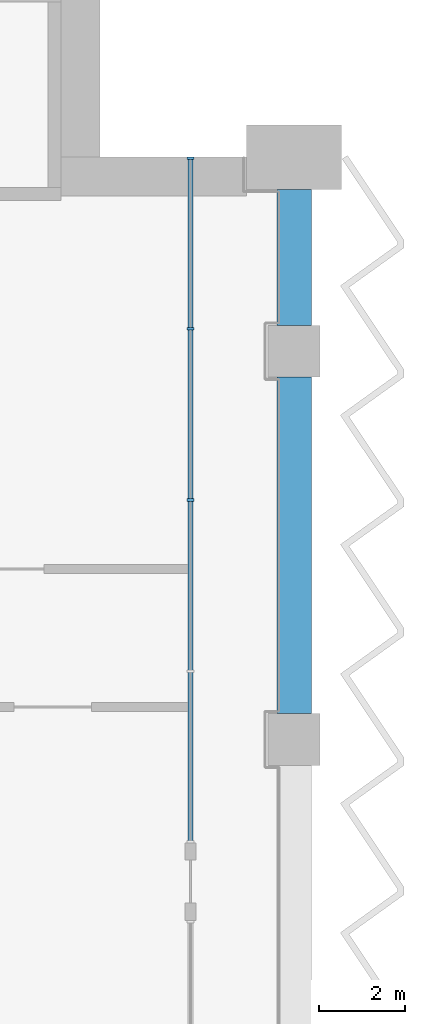
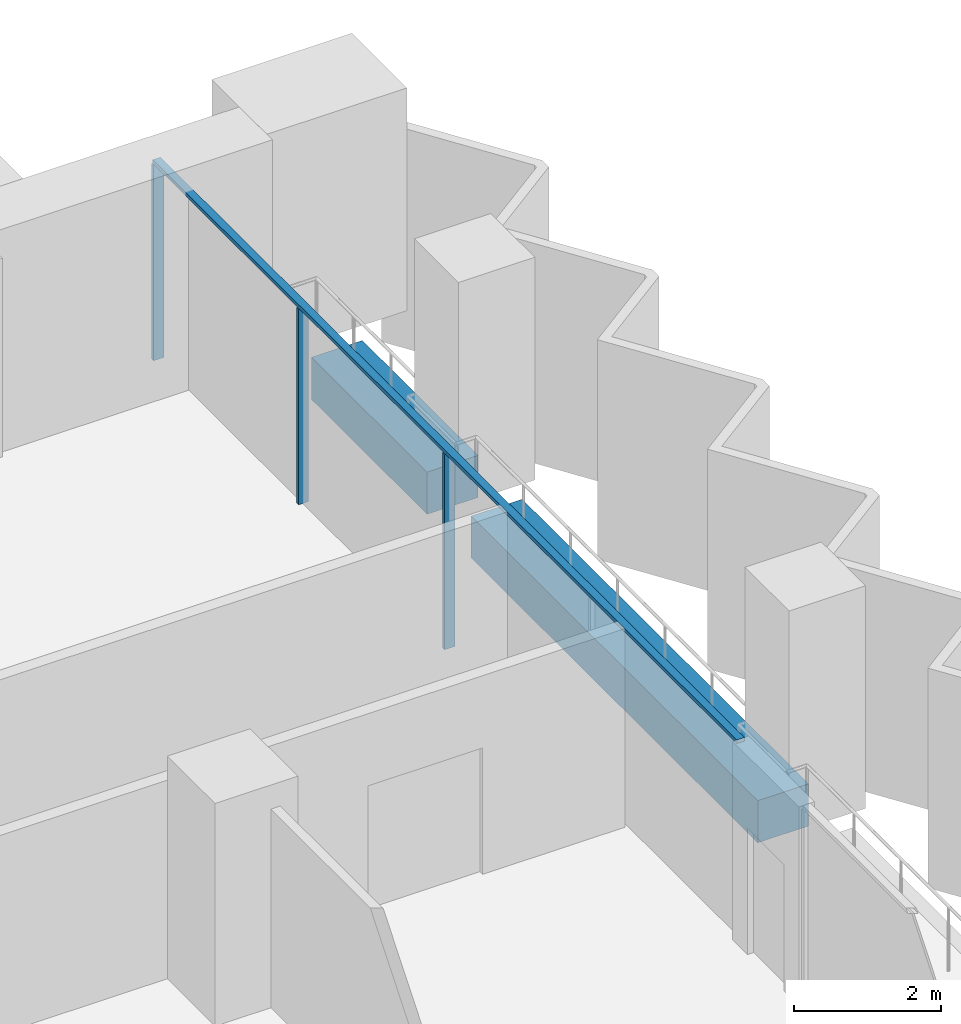
# One storey, part 6 of 22: 4 members, 2 beams, 1 element without a shape of its own.
"""IFC4 building model written with IfcOpenShell, lengths in metres."""

from ifc_helpers import new_model, si_unit, direction, frame, origin, origin_2d, place, context, subcontext, project, spatial, rectangle, extrude, material, material_profile, profile_set, type_object, element, aggregate, save


model = new_model("IFC4")

# Units and contexts
model_context = context("Model", 3, precision=1e-05, world=origin(), true_north=direction((0.0, 1.0)))
body_context = subcontext(model_context, "Body", "Model", "MODEL_VIEW")
ifc_project = project(units=[si_unit("LENGTHUNIT", "METRE"), si_unit("AREAUNIT", "SQUARE_METRE"), si_unit("VOLUMEUNIT", "CUBIC_METRE"), si_unit("PLANEANGLEUNIT", "RADIAN"), si_unit("MASSUNIT", "GRAM", prefix="KILO")], contexts=[model_context])

# Site, building, storey
site_placement = place(None, origin())
site = spatial("IfcSite", under=ifc_project, at=site_placement, CompositionType="ELEMENT")
building_placement = place(site_placement, origin())
building = spatial("IfcBuilding", under=site, at=building_placement, Name="Hunhe Ridgeline Campus", CompositionType="ELEMENT")
storey_placement = place(building_placement, frame((0.0, 0.0, 88.5)))
storey = spatial("IfcBuildingStorey", under=building, at=storey_placement, Name="L21", CompositionType="ELEMENT", Elevation=88.5)

# Curtain wall, members
ifc_material_1 = material(Name="Aluminium 6063", Category="aluminium")
curtain_wall_type = type_object("IfcCurtainWallType", Name="Curtain wall CW-1", PredefinedType="NOTDEFINED", material=ifc_material_1)
curtain_wall_placement = place(storey_placement, origin())
curtain_wall = element("IfcCurtainWall", 1, at=curtain_wall_placement, inside=storey, type_object=curtain_wall_type, Name="Curtain wall 16", PredefinedType="NOTDEFINED")
ifc_material_profile_1 = material_profile(ifc_material_1, rectangle(XDim=0.159912109375, YDim=0.06005859375, at=origin_2d()))
ifc_profile_set_1 = profile_set([ifc_material_profile_1], Name="Aluminium 6063")
member_type_1 = type_object("IfcMemberType", Name="CW-1 aluminium mullion", PredefinedType="MULLION", material=ifc_profile_set_1)
member_1_placement = place(storey_placement, frame((78.59912109375, 86.55029296875, 0.0), z_axis=(0.0, 0.0, 1.0), x_axis=(-1.0, 0.0, 0.0)))
member_1 = element("IfcMember", 2, at=member_1_placement, type_object=member_type_1, Name="CW-1 mullion 3", PredefinedType="MULLION", context=body_context, shape_type="SweptSolid", body=[
    extrude(rectangle(XDim=0.159912109375, YDim=0.06005859375, at=origin_2d()), origin(), (0.0, 0.0, 1.0), 3.239990234375),
])
member_2_placement = place(storey_placement, frame((78.59912109375, 90.525146484375, 0.0), z_axis=(0.0, 0.0, 1.0), x_axis=(-1.0, 0.0, 0.0)))
member_2 = element("IfcMember", 3, at=member_2_placement, type_object=member_type_1, Name="CW-1 mullion 4", PredefinedType="MULLION", context=body_context, shape_type="SweptSolid", body=[
    extrude(rectangle(XDim=0.159912109375, YDim=0.06005859375, at=origin_2d()), origin(), (0.0, 0.0, 1.0), 3.239990234375),
])
member_3_placement = place(storey_placement, frame((78.59912109375, 94.469970703125, 0.0), z_axis=(0.0, 0.0, 1.0), x_axis=(-1.0, 0.0, 0.0)))
member_3 = element("IfcMember", 4, at=member_3_placement, type_object=member_type_1, Name="CW-1 mullion 5", PredefinedType="MULLION", context=body_context, shape_type="SweptSolid", body=[
    extrude(rectangle(XDim=0.159912109375, YDim=0.06005859375, at=origin_2d()), origin(), (0.0, 0.0, 1.0), 3.239990234375),
])
ifc_material_profile_2 = material_profile(ifc_material_1, rectangle(XDim=0.1201171875, YDim=0.06005859375, at=origin_2d()))
ifc_profile_set_2 = profile_set([ifc_material_profile_2], Name="Aluminium 6063")
member_type_2 = type_object("IfcMemberType", Name="CW-1 aluminium transom", PredefinedType="USERDEFINED", material=ifc_profile_set_2)
member_4_placement = place(storey_placement, frame((78.59912109375, 78.6005859375, 3.27001953125), z_axis=(0.0, 1.0, 0.0), x_axis=(-1.0, 0.0, 0.0)))
member_4 = element("IfcMember", 5, at=member_4_placement, type_object=member_type_2, Name="CW-1 transom 1", ObjectType="TRANSOM", PredefinedType="USERDEFINED", context=body_context, shape_type="SweptSolid", body=[
    extrude(rectangle(XDim=0.1201171875, YDim=0.06005859375, at=origin_2d()), origin(), (0.0, 0.0, 1.0), 15.8994140625),
])
aggregate(curtain_wall, [member_4, member_1, member_2, member_3])

# Beams
ifc_material_2 = material(Name="Concrete C60", Category="concrete")
ifc_material_profile_3 = material_profile(ifc_material_2, rectangle(XDim=0.800048828125, YDim=0.699951171875, at=origin_2d()))
ifc_profile_set_3 = profile_set([ifc_material_profile_3], Name="Concrete C60")
beam_type = type_object("IfcBeamType", Name="RC spandrel beam 800x700 Concrete C60", PredefinedType="SPANDREL", material=ifc_profile_set_3)
beam_1_placement = place(storey_placement, frame((81.0, 81.60009765625, -0.60009765625), z_axis=(0.0, 1.0, 0.0), x_axis=(-1.0, 0.0, 0.0)))
element("IfcBeam", 6, at=beam_1_placement, inside=storey, type_object=beam_type, Name="Spandrel beam B1-21 L21", PredefinedType="SPANDREL", context=body_context, shape_type="SweptSolid", body=[
    extrude(rectangle(XDim=0.800048828125, YDim=0.699951171875, at=origin_2d()), origin(), (0.0, 0.0, 1.0), 7.7998046875),
])
beam_2_placement = place(storey_placement, frame((81.0, 90.60009765625, -0.60009765625), z_axis=(0.0, 1.0, 0.0), x_axis=(-1.0, 0.0, 0.0)))
element("IfcBeam", 7, at=beam_2_placement, inside=storey, type_object=beam_type, Name="Spandrel beam B1-22 L21", PredefinedType="SPANDREL", context=body_context, shape_type="SweptSolid", body=[
    extrude(rectangle(XDim=0.800048828125, YDim=0.699951171875, at=origin_2d()), origin(), (0.0, 0.0, 1.0), 3.14990234375),
])

save(model, "model.ifc")
